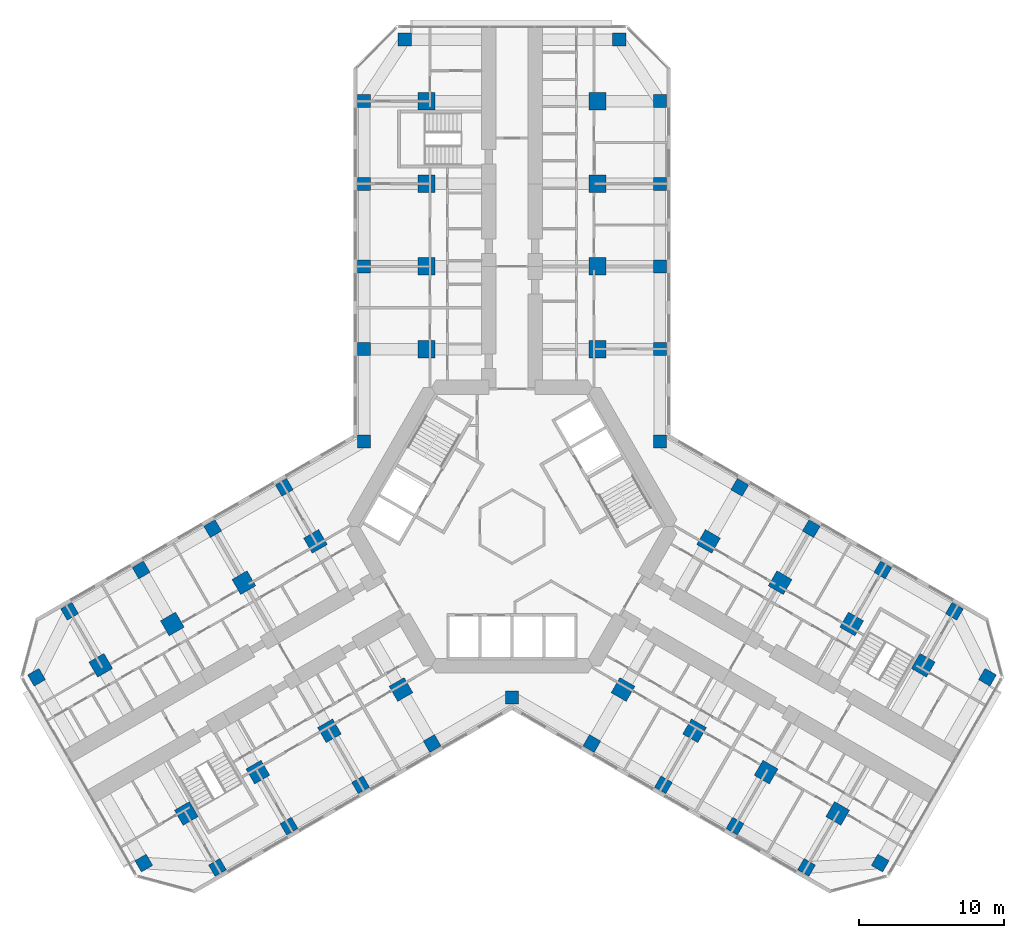
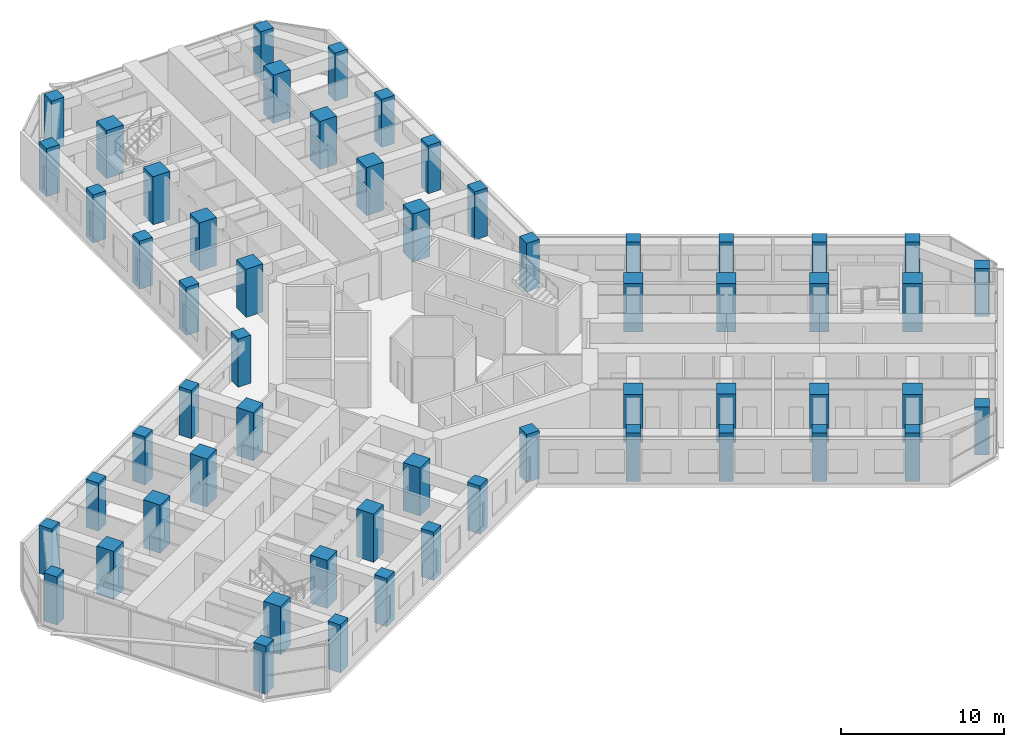
# One storey, part 1 of 21: 57 columns.
"""IFC4 building model written with IfcOpenShell, lengths in metres."""

from ifc_helpers import new_model, si_unit, direction, frame, origin, origin_2d, place, context, subcontext, project, spatial, rectangle, extrude, material, material_profile, profile_set, type_object, element, save


model = new_model("IFC4")

# Units and contexts
model_context = context("Model", 3, precision=1e-05, world=origin(), true_north=direction((0.0, 1.0)))
body_context = subcontext(model_context, "Body", "Model", "MODEL_VIEW")
ifc_project = project(units=[si_unit("LENGTHUNIT", "METRE"), si_unit("AREAUNIT", "SQUARE_METRE"), si_unit("VOLUMEUNIT", "CUBIC_METRE"), si_unit("PLANEANGLEUNIT", "RADIAN"), si_unit("MASSUNIT", "GRAM", prefix="KILO")], contexts=[model_context])

# Site, building, storey
site_placement = place(None, origin())
site = spatial("IfcSite", under=ifc_project, at=site_placement, CompositionType="ELEMENT")
building_placement = place(site_placement, origin())
building = spatial("IfcBuilding", under=site, at=building_placement, Name="Kosmar Iwan School Tower", CompositionType="ELEMENT")
storey_placement = place(building_placement, frame((0.0, 0.0, 98.800048828125)))
storey = spatial("IfcBuildingStorey", under=building, at=storey_placement, Name="L24", CompositionType="ELEMENT", Elevation=98.800048828125)

# Columns
ifc_material_1 = material(Name="Concrete C50/60", Category="concrete")
ifc_material_profile_1 = material_profile(ifc_material_1, rectangle(XDim=0.89990234375, YDim=0.89990234375, at=origin_2d()), Name="RC 900x900 + HD 400x634")
ifc_profile_set_1 = profile_set([ifc_material_profile_1], Name="Concrete C50/60")
column_type_1 = type_object("IfcColumnType", Name="Composite column 900x900 HD 400x634", PredefinedType="COLUMN", material=ifc_profile_set_1)
for number, where, z_axis, x_axis, name in (
    (1, (-10.199951171875, 12.25, 0.0), (0.0, 0.0, 1.0), (0.0, 1.0, 0.0), "Column AL1 L24"),
    (2, (-10.199951171875, 17.949951171875, 0.0), (0.0, 0.0, 1.0), (0.0, 1.0, 0.0), "Column AL2 L24"),
    (3, (-10.199951171875, 23.64990234375, 0.0), (0.0, 0.0, 1.0), (0.0, 1.0, 0.0), "Column AL3 L24"),
    (4, (-10.199951171875, 29.35009765625, 0.0), (0.0, 0.0, 1.0), (0.0, 1.0, 0.0), "Column AL4 L24"),
    (5, (-7.39990234375, 33.60009765625, 0.0), (0.0, 0.0, 1.0), (0.0, 1.0, 0.0), "Column ALTIP L24"),
    (6, (10.199951171875, 12.25, 0.0), (0.0, 0.0, 1.0), (0.0, 1.0, 0.0), "Column AR1 L24"),
    (7, (10.199951171875, 17.949951171875, 0.0), (0.0, 0.0, 1.0), (0.0, 1.0, 0.0), "Column AR2 L24"),
    (8, (10.199951171875, 23.64990234375, 0.0), (0.0, 0.0, 1.0), (0.0, 1.0, 0.0), "Column AR3 L24"),
    (9, (10.199951171875, 29.35009765625, 0.0), (0.0, 0.0, 1.0), (0.0, 1.0, 0.0), "Column AR4 L24"),
    (10, (7.39990234375, 33.60009765625, 0.0), (0.0, 0.0, 1.0), (0.0, 1.0, 0.0), "Column ARTIP L24"),
    (11, (-5.5087890625, -14.95849609375, 0.0), (0.0, 0.0, 1.0), (-0.866025403784, -0.5, 0.0), "Column BL1 L24"),
    (12, (-10.445068359375, -17.808349609375, 0.0), (0.0, 0.0, 1.0), (-0.866025403784, -0.5, 0.0), "Column BL2 L24"),
    (13, (-15.381591796875, -20.658447265625, 0.0), (0.0, 0.0, 1.0), (-0.866025403784, -0.5, 0.0), "Column BL3 L24"),
    (14, (-20.31787109375, -23.508544921875, 0.0), (0.0, 0.0, 1.0), (-0.866025403784, -0.5, 0.0), "Column BL4 L24"),
    (15, (-25.3984375, -23.20849609375, 0.0), (0.0, 0.0, 1.0), (-0.866025403784, -0.5, 0.0), "Column BLTIP L24"),
    (16, (-15.708740234375, 2.70849609375, 0.0), (0.0, 0.0, 1.0), (-0.866025403784, -0.5, 0.0), "Column BR1 L24"),
    (17, (-20.645263671875, -0.1416015625, 0.0), (0.0, 0.0, 1.0), (-0.866025403784, -0.5, 0.0), "Column BR2 L24"),
    (18, (-25.58154296875, -2.991455078125, 0.0), (0.0, 0.0, 1.0), (-0.866025403784, -0.5, 0.0), "Column BR3 L24"),
    (19, (-30.517822265625, -5.841552734375, 0.0), (0.0, 0.0, 1.0), (-0.866025403784, -0.5, 0.0), "Column BR4 L24"),
    (20, (-32.79833984375, -10.391357421875, 0.0), (0.0, 0.0, 1.0), (-0.866025403784, -0.5, 0.0), "Column BRTIP L24"),
    (21, (15.708740234375, 2.70849609375, 0.0), (0.0, 0.0, 1.0), (0.866025403784, -0.5, 0.0), "Column CL1 L24"),
    (22, (20.645263671875, -0.1416015625, 0.0), (0.0, 0.0, 1.0), (0.866025403784, -0.5, 0.0), "Column CL2 L24"),
    (23, (25.58154296875, -2.991455078125, 0.0), (0.0, 0.0, 1.0), (0.866025403784, -0.5, 0.0), "Column CL3 L24"),
    (24, (30.517822265625, -5.841552734375, 0.0), (0.0, 0.0, 1.0), (0.866025403784, -0.5, 0.0), "Column CL4 L24"),
    (25, (32.79833984375, -10.391357421875, 0.0), (0.0, 0.0, 1.0), (0.866025403784, -0.5, 0.0), "Column CLTIP L24"),
    (26, (5.5087890625, -14.95849609375, 0.0), (0.0, 0.0, 1.0), (0.866025403784, -0.5, 0.0), "Column CR1 L24"),
    (27, (10.445068359375, -17.808349609375, 0.0), (0.0, 0.0, 1.0), (0.866025403784, -0.5, 0.0), "Column CR2 L24"),
    (28, (15.381591796875, -20.658447265625, 0.0), (0.0, 0.0, 1.0), (0.866025403784, -0.5, 0.0), "Column CR3 L24"),
    (29, (20.31787109375, -23.508544921875, 0.0), (0.0, 0.0, 1.0), (0.866025403784, -0.5, 0.0), "Column CR4 L24"),
    (30, (25.3984375, -23.20849609375, 0.0), (0.0, 0.0, 1.0), (0.866025403784, -0.5, 0.0), "Column CRTIP L24"),
    (31, (-10.199951171875, 5.888916015625, 0.0), (0.0, 0.0, 1.0), (1.0, 0.0, 0.0), "Column RAB L24"),
    (32, (10.199951171875, 5.888916015625, 0.0), (0.0, 0.0, 1.0), (1.0, 0.0, 0.0), "Column RAC L24"),
    (33, (0.0, -11.77783203125, 0.0), (0.0, 0.0, 1.0), (1.0, 0.0, 0.0), "Column RBC L24"),
):
    element("IfcColumn", number, at=place(storey_placement, frame(where, z_axis=z_axis, x_axis=x_axis)), inside=storey, type_object=column_type_1, Name=name, PredefinedType="COLUMN", context=body_context, shape_type="SweptSolid", body=[
        extrude(rectangle(XDim=0.89990234375, YDim=0.89990234375, at=origin_2d()), origin(), (0.0, 0.0, 1.0), 3.599853515625),
    ])
ifc_material_2 = material(Name="Concrete C50/60", Category="concrete")
ifc_material_profile_2 = material_profile(ifc_material_2, rectangle(XDim=1.199951171875, YDim=1.199951171875, at=origin_2d()), Name="RC 1200x1200")
ifc_profile_set_2 = profile_set([ifc_material_profile_2], Name="Concrete C50/60")
column_type_2 = type_object("IfcColumnType", Name="RC interior column 1200x1200", PredefinedType="COLUMN", material=ifc_profile_set_2)
for number, where, z_axis, x_axis, name in (
    (34, (-5.89990234375, 12.25, 0.0), (0.0, 0.0, 1.0), (0.0, 1.0, 0.0), "Interior column ALI1 L24"),
    (35, (-5.89990234375, 17.949951171875, 0.0), (0.0, 0.0, 1.0), (0.0, 1.0, 0.0), "Interior column ALI2 L24"),
    (36, (-5.89990234375, 23.64990234375, 0.0), (0.0, 0.0, 1.0), (0.0, 1.0, 0.0), "Interior column ALI3 L24"),
    (37, (-5.89990234375, 29.35009765625, 0.0), (0.0, 0.0, 1.0), (0.0, 1.0, 0.0), "Interior column ALI4 L24"),
    (38, (5.89990234375, 12.25, 0.0), (0.0, 0.0, 1.0), (0.0, 1.0, 0.0), "Interior column ARI1 L24"),
    (39, (5.89990234375, 17.949951171875, 0.0), (0.0, 0.0, 1.0), (0.0, 1.0, 0.0), "Interior column ARI2 L24"),
    (40, (5.89990234375, 23.64990234375, 0.0), (0.0, 0.0, 1.0), (0.0, 1.0, 0.0), "Interior column ARI3 L24"),
    (41, (5.89990234375, 29.35009765625, 0.0), (0.0, 0.0, 1.0), (0.0, 1.0, 0.0), "Interior column ARI4 L24"),
    (42, (-7.65869140625, -11.234619140625, 0.0), (0.0, 0.0, 1.0), (-0.866025403784, -0.5, 0.0), "Interior column BLI1 L24"),
    (43, (-12.59521484375, -14.08447265625, 0.0), (0.0, 0.0, 1.0), (-0.866025403784, -0.5, 0.0), "Interior column BLI2 L24"),
    (44, (-17.531494140625, -16.9345703125, 0.0), (0.0, 0.0, 1.0), (-0.866025403784, -0.5, 0.0), "Interior column BLI3 L24"),
    (45, (-22.4677734375, -19.78466796875, 0.0), (0.0, 0.0, 1.0), (-0.866025403784, -0.5, 0.0), "Interior column BLI4 L24"),
    (46, (-13.558837890625, -1.015380859375, 0.0), (0.0, 0.0, 1.0), (-0.866025403784, -0.5, 0.0), "Interior column BRI1 L24"),
    (47, (-18.4951171875, -3.865478515625, 0.0), (0.0, 0.0, 1.0), (-0.866025403784, -0.5, 0.0), "Interior column BRI2 L24"),
    (48, (-23.431396484375, -6.71533203125, 0.0), (0.0, 0.0, 1.0), (-0.866025403784, -0.5, 0.0), "Interior column BRI3 L24"),
    (49, (-28.367919921875, -9.5654296875, 0.0), (0.0, 0.0, 1.0), (-0.866025403784, -0.5, 0.0), "Interior column BRI4 L24"),
    (50, (13.558837890625, -1.015380859375, 0.0), (0.0, 0.0, 1.0), (0.866025403784, -0.5, 0.0), "Interior column CLI1 L24"),
    (51, (18.4951171875, -3.865478515625, 0.0), (0.0, 0.0, 1.0), (0.866025403784, -0.5, 0.0), "Interior column CLI2 L24"),
    (52, (23.431396484375, -6.71533203125, 0.0), (0.0, 0.0, 1.0), (0.866025403784, -0.5, 0.0), "Interior column CLI3 L24"),
    (53, (28.367919921875, -9.5654296875, 0.0), (0.0, 0.0, 1.0), (0.866025403784, -0.5, 0.0), "Interior column CLI4 L24"),
    (54, (7.65869140625, -11.234619140625, 0.0), (0.0, 0.0, 1.0), (0.866025403784, -0.5, 0.0), "Interior column CRI1 L24"),
    (55, (12.59521484375, -14.08447265625, 0.0), (0.0, 0.0, 1.0), (0.866025403784, -0.5, 0.0), "Interior column CRI2 L24"),
    (56, (17.531494140625, -16.9345703125, 0.0), (0.0, 0.0, 1.0), (0.866025403784, -0.5, 0.0), "Interior column CRI3 L24"),
    (57, (22.4677734375, -19.78466796875, 0.0), (0.0, 0.0, 1.0), (0.866025403784, -0.5, 0.0), "Interior column CRI4 L24"),
):
    element("IfcColumn", number, at=place(storey_placement, frame(where, z_axis=z_axis, x_axis=x_axis)), inside=storey, type_object=column_type_2, Name=name, PredefinedType="COLUMN", context=body_context, shape_type="SweptSolid", body=[
        extrude(rectangle(XDim=1.199951171875, YDim=1.199951171875, at=origin_2d()), origin(), (0.0, 0.0, 1.0), 3.599853515625),
    ])

save(model, "model.ifc")
